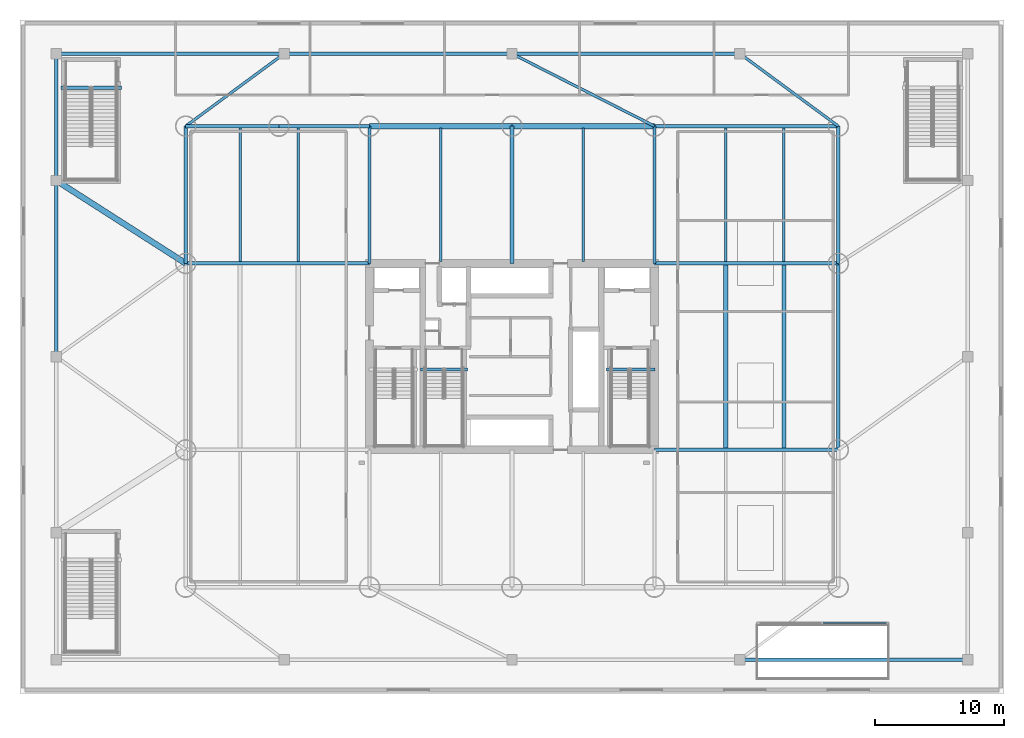
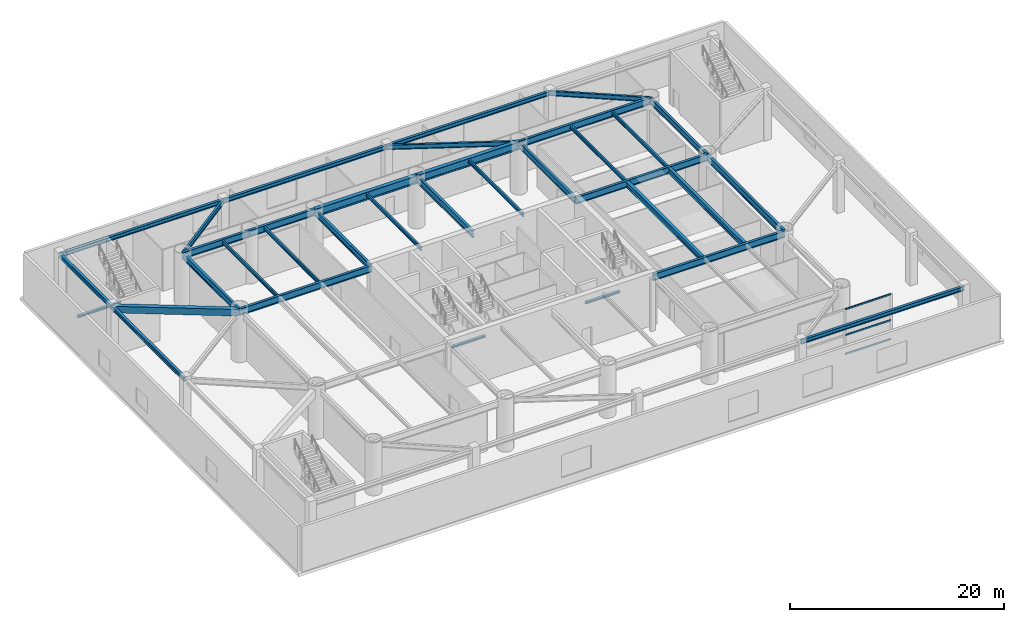
# One storey, part 3 of 17: 35 beams, 3 members, 1 element without a shape of its own.
"""IFC4 building model written with IfcOpenShell, lengths in metres."""

from ifc_helpers import new_model, si_unit, direction, frame, origin, origin_2d, place, context, subcontext, project, spatial, rectangle, hollow_rectangle, i_section, extrude, material, layer, layer_set, material_profile, profile_set, type_object, element, aggregate, save


model = new_model("IFC4")

# Units and contexts
model_context = context("Model", 3, precision=1e-05, world=origin(), true_north=direction((0.0, 1.0)))
body_context = subcontext(model_context, "Body", "Model", "MODEL_VIEW")
ifc_project = project(units=[si_unit("LENGTHUNIT", "METRE"), si_unit("AREAUNIT", "SQUARE_METRE"), si_unit("VOLUMEUNIT", "CUBIC_METRE"), si_unit("PLANEANGLEUNIT", "RADIAN"), si_unit("MASSUNIT", "GRAM", prefix="KILO")], contexts=[model_context])

# Site, building, storey
site_placement = place(None, origin())
site = spatial("IfcSite", under=ifc_project, at=site_placement, CompositionType="ELEMENT")
building_placement = place(site_placement, origin())
building = spatial("IfcBuilding", under=site, at=building_placement, Name="Bramvorn Convention Spire", CompositionType="ELEMENT")
storey_placement = place(building_placement, frame((0.0, 0.0, 24.0)))
storey = spatial("IfcBuildingStorey", under=building, at=storey_placement, Name="L04", CompositionType="ELEMENT", Elevation=24.0)

# Beams
ifc_material_1 = material(Name="Concrete C50/60", Category="concrete")
ifc_material_profile_1 = material_profile(ifc_material_1, rectangle(XDim=0.449951171875, YDim=0.75, at=origin_2d()))
ifc_profile_set_1 = profile_set([ifc_material_profile_1], Name="Concrete C50/60 - RC450X750")
beam_type_1 = type_object("IfcBeamType", Name="BM-RC450X750", PredefinedType="BEAM", material=ifc_profile_set_1)
beam_1_placement = place(storey_placement, frame((2.800048828125, 39.60009765625, 5.27490234375), z_axis=(0.842265798855, -0.539062449145, 0.0), x_axis=(0.539062449145, 0.842265798855, 0.0)))
element("IfcBeam", 1, at=beam_1_placement, inside=storey, type_object=beam_type_1, Name="L04 reinforced concrete marshalling tie beam 2", PredefinedType="BEAM", context=body_context, shape_type="SweptSolid", body=[
    extrude(rectangle(XDim=0.449951171875, YDim=0.75, at=origin_2d()), origin(), (0.0, 0.0, 1.0), 11.872802734375),
])
ifc_material_2 = material(Name="Steel CSA G40.21 Grade 350 (350W)", Category="steel")
ifc_material_profile_2 = material_profile(ifc_material_2, i_section(OverallWidth=0.25390625, OverallDepth=0.2529296875, WebThickness=0.008544921875, FlangeThickness=0.01416015625, FilletRadius=0.011962890625, at=origin_2d()))
ifc_profile_set_2 = profile_set([ifc_material_profile_2], Name="Steel CSA G40.21 Grade 350 (350W) - W250X73")
beam_type_2 = type_object("IfcBeamType", Name="BM-W250X73", PredefinedType="BEAM", material=ifc_profile_set_2)
beam_2_placement = place(storey_placement, frame((45.31005859375, 25.010009765625, -0.12646484375), z_axis=(1.0, 0.0, 0.0), x_axis=(0.0, 1.0, 0.0)))
element("IfcBeam", 2, at=beam_2_placement, inside=storey, type_object=beam_type_2, Name="L04 ST2 stair arrival header beam", PredefinedType="BEAM", context=body_context, shape_type="SweptSolid", body=[
    extrude(i_section(OverallWidth=0.25390625, OverallDepth=0.2529296875, WebThickness=0.008544921875, FlangeThickness=0.01416015625, FilletRadius=0.011962890625, at=origin_2d()), origin(), (0.0, 0.0, 1.0), 3.739990234375),
])
beam_3_placement = place(storey_placement, frame((30.949951171875, 25.010009765625, -0.12646484375), z_axis=(1.0, 0.0, 0.0), x_axis=(0.0, 1.0, 0.0)))
element("IfcBeam", 3, at=beam_3_placement, inside=storey, type_object=beam_type_2, Name="L04 ST3 stair arrival header beam", PredefinedType="BEAM", context=body_context, shape_type="SweptSolid", body=[
    extrude(i_section(OverallWidth=0.25390625, OverallDepth=0.2529296875, WebThickness=0.008544921875, FlangeThickness=0.01416015625, FilletRadius=0.011962890625, at=origin_2d()), origin(), (0.0, 0.0, 1.0), 3.610107421875),
])
beam_4_placement = place(storey_placement, frame((3.14990234375, 46.760009765625, -0.12646484375), z_axis=(1.0, 0.0, 0.0), x_axis=(0.0, 1.0, 0.0)))
element("IfcBeam", 4, at=beam_4_placement, inside=storey, type_object=beam_type_2, Name="L04 ST6 stair arrival header beam", PredefinedType="BEAM", context=body_context, shape_type="SweptSolid", body=[
    extrude(i_section(OverallWidth=0.25390625, OverallDepth=0.2529296875, WebThickness=0.008544921875, FlangeThickness=0.01416015625, FilletRadius=0.011962890625, at=origin_2d()), origin(), (0.0, 0.0, 1.0), 4.68017578125),
])
ifc_material_profile_3 = material_profile(ifc_material_2, i_section(OverallWidth=0.180908203125, OverallDepth=0.4169921875, WebThickness=0.010986328125, FlangeThickness=0.018310546875, FilletRadius=0.01611328125, at=origin_2d()))
ifc_profile_set_3 = profile_set([ifc_material_profile_3], Name="Steel CSA G40.21 Grade 350 (350W) - W410X85")
beam_type_3 = type_object("IfcBeamType", Name="BM-W410X85", PredefinedType="JOIST", material=ifc_profile_set_3)
for number, where, z_axis, x_axis, name in (
    (5, (17.0, 33.340087890625, 5.44140625), (0.0, 1.0, 0.0), (-1.0, 0.0, 0.0), "L04 side hall joist N-1"),
    (6, (21.5, 33.340087890625, 5.44140625), (0.0, 1.0, 0.0), (-1.0, 0.0, 0.0), "L04 side hall joist N-2"),
    (7, (32.5, 33.340087890625, 5.44140625), (0.0, 1.0, 0.0), (-1.0, 0.0, 0.0), "L04 north hall composite joist 3"),
    (8, (43.5, 33.340087890625, 5.44140625), (0.0, 1.0, 0.0), (-1.0, 0.0, 0.0), "L04 north hall composite joist 4"),
    (9, (54.5, 33.340087890625, 5.44140625), (0.0, 1.0, 0.0), (-1.0, 0.0, 0.0), "L04 side hall joist N-5"),
    (10, (59.0, 33.340087890625, 5.44140625), (0.0, 1.0, 0.0), (-1.0, 0.0, 0.0), "L04 side hall joist N-6"),
):
    element("IfcBeam", number, at=place(storey_placement, frame(where, z_axis=z_axis, x_axis=x_axis)), inside=storey, type_object=beam_type_3, Name=name, PredefinedType="JOIST", context=body_context, shape_type="SweptSolid", body=[
        extrude(i_section(OverallWidth=0.180908203125, OverallDepth=0.4169921875, WebThickness=0.010986328125, FlangeThickness=0.018310546875, FilletRadius=0.01611328125, at=origin_2d()), origin(), (0.0, 0.0, 1.0), 10.31982421875),
    ])
ifc_material_profile_4 = material_profile(ifc_material_2, i_section(OverallWidth=0.283935546875, OverallDepth=0.47607421875, WebThickness=0.014892578125, FlangeThickness=0.02392578125, FilletRadius=0.01806640625, at=origin_2d()))
ifc_profile_set_4 = profile_set([ifc_material_profile_4], Name="Steel CSA G40.21 Grade 350 (350W) - W460X158")
beam_type_4 = type_object("IfcBeamType", Name="BM-W460X158", PredefinedType="SPANDREL", material=ifc_profile_set_4)
beam_5_placement = place(storey_placement, frame((55.60009765625, 2.60009765625, 5.412109375), z_axis=(1.0, 0.0, 0.0), x_axis=(0.0, 1.0, 0.0)))
element("IfcBeam", 11, at=beam_5_placement, inside=storey, type_object=beam_type_4, Name="L04 podium spandrel beam 04", PredefinedType="SPANDREL", context=body_context, shape_type="SweptSolid", body=[
    extrude(i_section(OverallWidth=0.283935546875, OverallDepth=0.47607421875, WebThickness=0.014892578125, FlangeThickness=0.02392578125, FilletRadius=0.01806640625, at=origin_2d()), origin(), (0.0, 0.0, 1.0), 17.599853515625),
])
for number, where, z_axis, x_axis, name in (
    (12, (55.60009765625, 49.39990234375, 5.412109375), (-1.0, 0.0, 0.0), (0.0, -1.0, 0.0), "L04 podium spandrel beam 10"),
    (13, (38.0, 49.39990234375, 5.412109375), (-1.0, 0.0, 0.0), (0.0, -1.0, 0.0), "L04 podium spandrel beam 11"),
):
    element("IfcBeam", number, at=place(storey_placement, frame(where, z_axis=z_axis, x_axis=x_axis)), inside=storey, type_object=beam_type_4, Name=name, PredefinedType="SPANDREL", context=body_context, shape_type="SweptSolid", body=[
        extrude(i_section(OverallWidth=0.283935546875, OverallDepth=0.47607421875, WebThickness=0.014892578125, FlangeThickness=0.02392578125, FilletRadius=0.01806640625, at=origin_2d()), origin(), (0.0, 0.0, 1.0), 17.60009765625),
    ])
beam_6_placement = place(storey_placement, frame((20.39990234375, 49.39990234375, 5.412109375), z_axis=(-1.0, 0.0, 0.0), x_axis=(0.0, -1.0, 0.0)))
element("IfcBeam", 14, at=beam_6_placement, inside=storey, type_object=beam_type_4, Name="L04 podium spandrel beam 12", PredefinedType="SPANDREL", context=body_context, shape_type="SweptSolid", body=[
    extrude(i_section(OverallWidth=0.283935546875, OverallDepth=0.47607421875, WebThickness=0.014892578125, FlangeThickness=0.02392578125, FilletRadius=0.01806640625, at=origin_2d()), origin(), (0.0, 0.0, 1.0), 17.599853515625),
])
beam_7_placement = place(storey_placement, frame((2.800048828125, 49.39990234375, 5.412109375), z_axis=(0.0, -1.0, 0.0), x_axis=(1.0, 0.0, 0.0)))
element("IfcBeam", 15, at=beam_7_placement, inside=storey, type_object=beam_type_4, Name="L04 podium spandrel beam 13", PredefinedType="SPANDREL", context=body_context, shape_type="SweptSolid", body=[
    extrude(i_section(OverallWidth=0.283935546875, OverallDepth=0.47607421875, WebThickness=0.014892578125, FlangeThickness=0.02392578125, FilletRadius=0.01806640625, at=origin_2d()), origin(), (0.0, 0.0, 1.0), 9.7998046875),
])
beam_8_placement = place(storey_placement, frame((2.800048828125, 39.60009765625, 5.412109375), z_axis=(0.0, -1.0, 0.0), x_axis=(1.0, 0.0, 0.0)))
element("IfcBeam", 16, at=beam_8_placement, inside=storey, type_object=beam_type_4, Name="L04 podium spandrel beam 14", PredefinedType="SPANDREL", context=body_context, shape_type="SweptSolid", body=[
    extrude(i_section(OverallWidth=0.283935546875, OverallDepth=0.47607421875, WebThickness=0.014892578125, FlangeThickness=0.02392578125, FilletRadius=0.01806640625, at=origin_2d()), origin(), (0.0, 0.0, 1.0), 13.60009765625),
])
ifc_material_profile_5 = material_profile(ifc_material_2, i_section(OverallWidth=0.2119140625, OverallDepth=0.5439453125, WebThickness=0.01318359375, FlangeThickness=0.021240234375, FilletRadius=0.01904296875, at=origin_2d()))
ifc_profile_set_5 = profile_set([ifc_material_profile_5], Name="Steel CSA G40.21 Grade 350 (350W) - W530X123")
beam_type_5 = type_object("IfcBeamType", Name="BM-W530X123", PredefinedType="BEAM", material=ifc_profile_set_5)
beam_9_placement = place(storey_placement, frame((20.39990234375, 49.39990234375, 5.3779296875), z_axis=(-0.805057787445, -0.593196391488, 0.0), x_axis=(0.593196391488, -0.805057787445, 0.0)))
element("IfcBeam", 17, at=beam_9_placement, inside=storey, type_object=beam_type_5, Name="L04 podium primary girder 31", PredefinedType="BEAM", context=body_context, shape_type="SweptSolid", body=[
    extrude(i_section(OverallWidth=0.2119140625, OverallDepth=0.5439453125, WebThickness=0.01318359375, FlangeThickness=0.021240234375, FilletRadius=0.01904296875, at=origin_2d()), origin(), (0.0, 0.0, 1.0), 9.440185546875),
])
beam_10_placement = place(storey_placement, frame((38.0, 49.39990234375, 5.3779296875), z_axis=(0.891167913636, -0.453673615835, 0.0), x_axis=(0.453673615835, 0.891167913636, 0.0)))
element("IfcBeam", 18, at=beam_10_placement, inside=storey, type_object=beam_type_5, Name="L04 podium primary girder 32", PredefinedType="BEAM", context=body_context, shape_type="SweptSolid", body=[
    extrude(i_section(OverallWidth=0.2119140625, OverallDepth=0.5439453125, WebThickness=0.01318359375, FlangeThickness=0.021240234375, FilletRadius=0.01904296875, at=origin_2d()), origin(), (0.0, 0.0, 1.0), 12.34326171875),
])
beam_11_placement = place(storey_placement, frame((55.60009765625, 49.39990234375, 5.3779296875), z_axis=(0.805057787445, -0.593196391488, 0.0), x_axis=(0.593196391488, 0.805057787445, 0.0)))
element("IfcBeam", 19, at=beam_11_placement, inside=storey, type_object=beam_type_5, Name="L04 podium primary girder 33", PredefinedType="BEAM", context=body_context, shape_type="SweptSolid", body=[
    extrude(i_section(OverallWidth=0.2119140625, OverallDepth=0.5439453125, WebThickness=0.01318359375, FlangeThickness=0.021240234375, FilletRadius=0.01904296875, at=origin_2d()), origin(), (0.0, 0.0, 1.0), 9.440185546875),
])
ifc_material_profile_6 = material_profile(ifc_material_2, i_section(OverallWidth=0.327880859375, OverallDepth=0.6279296875, WebThickness=0.0166015625, FlangeThickness=0.027587890625, FilletRadius=0.02001953125, at=origin_2d()))
ifc_profile_set_6 = profile_set([ifc_material_profile_6], Name="Steel CSA G40.21 Grade 350 (350W) - W610X217")
beam_type_6 = type_object("IfcBeamType", Name="BM-W610X217", PredefinedType="BEAM", material=ifc_profile_set_6)
for number, where, z_axis, x_axis, name in (
    (20, (54.5, 18.93994140625, 5.3359375), (0.0, 1.0, 0.0), (-1.0, 0.0, 0.0), "L04 main exhibition clear-span joist M-5"),
    (21, (59.0, 18.93994140625, 5.3359375), (0.0, 1.0, 0.0), (-1.0, 0.0, 0.0), "L04 main exhibition clear-span joist M-6"),
):
    element("IfcBeam", number, at=place(storey_placement, frame(where, z_axis=z_axis, x_axis=x_axis)), inside=storey, type_object=beam_type_6, Name=name, PredefinedType="BEAM", context=body_context, shape_type="SweptSolid", body=[
        extrude(i_section(OverallWidth=0.327880859375, OverallDepth=0.6279296875, WebThickness=0.0166015625, FlangeThickness=0.027587890625, FilletRadius=0.02001953125, at=origin_2d()), origin(), (0.0, 0.0, 1.0), 14.1201171875),
    ])
ifc_material_profile_7 = material_profile(ifc_material_2, i_section(OverallWidth=0.256103515625, OverallDepth=0.693115234375, WebThickness=0.014404296875, FlangeThickness=0.023681640625, FilletRadius=0.02197265625, at=origin_2d()))
ifc_profile_set_7 = profile_set([ifc_material_profile_7], Name="Steel CSA G40.21 Grade 350 (350W) - W690X170")
beam_type_7 = type_object("IfcBeamType", Name="BM-W690X170", PredefinedType="BEAM", material=ifc_profile_set_7)
for number, where, z_axis, x_axis, name in (
    (22, (12.800048828125, 33.199951171875, 5.303466796875), (0.0, 1.0, 0.0), (-1.0, 0.0, 0.0), "L04 podium primary girder 14"),
    (23, (63.199951171875, 33.199951171875, 5.303466796875), (0.0, 1.0, 0.0), (-1.0, 0.0, 0.0), "L04 podium primary girder 17"),
    (24, (27.0, 33.199951171875, 5.303466796875), (0.0, 1.0, 0.0), (-1.0, 0.0, 0.0), "L04 podium primary girder 24"),
    (25, (49.0, 33.199951171875, 5.303466796875), (0.0, 1.0, 0.0), (-1.0, 0.0, 0.0), "L04 podium primary girder 25"),
):
    element("IfcBeam", number, at=place(storey_placement, frame(where, z_axis=z_axis, x_axis=x_axis)), inside=storey, type_object=beam_type_7, Name=name, PredefinedType="BEAM", context=body_context, shape_type="SweptSolid", body=[
        extrude(i_section(OverallWidth=0.256103515625, OverallDepth=0.693115234375, WebThickness=0.014404296875, FlangeThickness=0.023681640625, FilletRadius=0.02197265625, at=origin_2d()), origin(), (0.0, 0.0, 1.0), 10.60009765625),
    ])
ifc_material_profile_8 = material_profile(ifc_material_2, i_section(OverallWidth=0.27099609375, OverallDepth=0.76806640625, WebThickness=0.0166015625, FlangeThickness=0.02685546875, FilletRadius=0.02197265625, at=origin_2d()))
ifc_profile_set_8 = profile_set([ifc_material_profile_8], Name="Steel CSA G40.21 Grade 350 (350W) - W760X220")
beam_type_8 = type_object("IfcBeamType", Name="BM-W760X220", PredefinedType="BEAM", material=ifc_profile_set_8)
beam_12_placement = place(storey_placement, frame((12.800048828125, 43.800048828125, 5.26611328125), z_axis=(1.0, 0.0, 0.0), x_axis=(0.0, 1.0, 0.0)))
element("IfcBeam", 26, at=beam_12_placement, inside=storey, type_object=beam_type_8, Name="L04 podium primary girder 05", PredefinedType="BEAM", context=body_context, shape_type="SweptSolid", body=[
    extrude(i_section(OverallWidth=0.27099609375, OverallDepth=0.76806640625, WebThickness=0.0166015625, FlangeThickness=0.02685546875, FilletRadius=0.02197265625, at=origin_2d()), origin(), (0.0, 0.0, 1.0), 7.199951171875),
])
beam_13_placement = place(storey_placement, frame((20.0, 43.800048828125, 5.26611328125), z_axis=(1.0, 0.0, 0.0), x_axis=(0.0, 1.0, 0.0)))
element("IfcBeam", 27, at=beam_13_placement, inside=storey, type_object=beam_type_8, Name="L04 podium primary girder 06", PredefinedType="BEAM", context=body_context, shape_type="SweptSolid", body=[
    extrude(i_section(OverallWidth=0.27099609375, OverallDepth=0.76806640625, WebThickness=0.0166015625, FlangeThickness=0.02685546875, FilletRadius=0.02197265625, at=origin_2d()), origin(), (0.0, 0.0, 1.0), 7.0),
])
beam_14_placement = place(storey_placement, frame((38.0, 33.199951171875, 5.26611328125), z_axis=(0.0, 1.0, 0.0), x_axis=(-1.0, 0.0, 0.0)))
element("IfcBeam", 28, at=beam_14_placement, inside=storey, type_object=beam_type_8, Name="L04 podium primary girder 10", PredefinedType="BEAM", context=body_context, shape_type="SweptSolid", body=[
    extrude(i_section(OverallWidth=0.27099609375, OverallDepth=0.76806640625, WebThickness=0.0166015625, FlangeThickness=0.02685546875, FilletRadius=0.02197265625, at=origin_2d()), origin(), (0.0, 0.0, 1.0), 10.60009765625),
])
beam_15_placement = place(storey_placement, frame((49.0, 43.800048828125, 5.26611328125), z_axis=(1.0, 0.0, 0.0), x_axis=(0.0, 1.0, 0.0)))
element("IfcBeam", 29, at=beam_15_placement, inside=storey, type_object=beam_type_8, Name="L04 podium primary girder 11", PredefinedType="BEAM", context=body_context, shape_type="SweptSolid", body=[
    extrude(i_section(OverallWidth=0.27099609375, OverallDepth=0.76806640625, WebThickness=0.0166015625, FlangeThickness=0.02685546875, FilletRadius=0.02197265625, at=origin_2d()), origin(), (0.0, 0.0, 1.0), 14.199951171875),
])
beam_16_placement = place(storey_placement, frame((63.199951171875, 18.800048828125, 5.26611328125), z_axis=(0.0, 1.0, 0.0), x_axis=(-1.0, 0.0, 0.0)))
element("IfcBeam", 30, at=beam_16_placement, inside=storey, type_object=beam_type_8, Name="L04 podium primary girder 16", PredefinedType="BEAM", context=body_context, shape_type="SweptSolid", body=[
    extrude(i_section(OverallWidth=0.27099609375, OverallDepth=0.76806640625, WebThickness=0.0166015625, FlangeThickness=0.02685546875, FilletRadius=0.02197265625, at=origin_2d()), origin(), (0.0, 0.0, 1.0), 14.39990234375),
])
for number, where, z_axis, x_axis, name in (
    (31, (49.0, 18.800048828125, 5.26611328125), (1.0, 0.0, 0.0), (0.0, 1.0, 0.0), "L04 podium primary girder 19"),
    (32, (12.800048828125, 33.199951171875, 5.26611328125), (1.0, 0.0, 0.0), (0.0, 1.0, 0.0), "L04 podium primary girder 20"),
    (33, (49.0, 33.199951171875, 5.26611328125), (1.0, 0.0, 0.0), (0.0, 1.0, 0.0), "L04 podium primary girder 21"),
):
    element("IfcBeam", number, at=place(storey_placement, frame(where, z_axis=z_axis, x_axis=x_axis)), inside=storey, type_object=beam_type_8, Name=name, PredefinedType="BEAM", context=body_context, shape_type="SweptSolid", body=[
        extrude(i_section(OverallWidth=0.27099609375, OverallDepth=0.76806640625, WebThickness=0.0166015625, FlangeThickness=0.02685546875, FilletRadius=0.02197265625, at=origin_2d()), origin(), (0.0, 0.0, 1.0), 14.199951171875),
    ])
ifc_material_profile_9 = material_profile(ifc_material_2, i_section(OverallWidth=0.41796875, OverallDepth=0.912109375, WebThickness=0.019287109375, FlangeThickness=0.031982421875, FilletRadius=0.02392578125, at=origin_2d()))
ifc_profile_set_9 = profile_set([ifc_material_profile_9], Name="Steel CSA G40.21 Grade 350 (350W) - W920X342")
beam_type_9 = type_object("IfcBeamType", Name="BM-W920X342", PredefinedType="BEAM", material=ifc_profile_set_9)
for number, where, z_axis, x_axis, name in (
    (34, (27.0, 43.800048828125, 5.194091796875), (1.0, 0.0, 0.0), (0.0, 1.0, 0.0), "L04 podium primary girder 07"),
    (35, (38.0, 43.800048828125, 5.194091796875), (1.0, 0.0, 0.0), (0.0, 1.0, 0.0), "L04 podium primary girder 08"),
):
    element("IfcBeam", number, at=place(storey_placement, frame(where, z_axis=z_axis, x_axis=x_axis)), inside=storey, type_object=beam_type_9, Name=name, PredefinedType="BEAM", context=body_context, shape_type="SweptSolid", body=[
        extrude(i_section(OverallWidth=0.41796875, OverallDepth=0.912109375, WebThickness=0.019287109375, FlangeThickness=0.031982421875, FilletRadius=0.02392578125, at=origin_2d()), origin(), (0.0, 0.0, 1.0), 11.0),
    ])

# Curtain wall, members
ifc_material_3 = material(Name="Anodised Bronze Unitised Curtain Wall", Category="aluminium")
ifc_layer = layer(ifc_material_3, 0.219970703125)
ifc_layer_set = layer_set([ifc_layer], Name="Anodised Bronze Unitised Curtain Wall - CW-POD-LANCET")
curtain_wall_type = type_object("IfcCurtainWallType", Name="CW-POD-LANCET", PredefinedType="USERDEFINED", material=ifc_layer_set)
curtain_wall_placement = place(storey_placement, origin())
curtain_wall = element("IfcCurtainWall", 36, at=curtain_wall_placement, inside=storey, type_object=curtain_wall_type, Name="L04 SE colonnade lancet curtain wall", ObjectType="UNITISED CURTAIN WALL", PredefinedType="USERDEFINED")
ifc_material_4 = material(Name="Anodised Bronze Aluminium 6063-T6", Category="aluminium")
ifc_material_profile_10 = material_profile(ifc_material_4, hollow_rectangle(XDim=0.090087890625, YDim=0.179931640625, WallThickness=0.00439453125, InnerFilletRadius=0.0009765625, OuterFilletRadius=0.00439453125, at=origin_2d()))
ifc_profile_set_10 = profile_set([ifc_material_profile_10], Name="Anodised Bronze Aluminium 6063-T6 - CWT90X180")
member_type = type_object("IfcMemberType", Name="CW-TRN-180", PredefinedType="USERDEFINED", material=ifc_profile_set_10)
member_1_placement = place(storey_placement, frame((62.030029296875, 5.449951171875, 0.030029296875), z_axis=(1.0, 0.0, 0.0), x_axis=(0.0, 1.0, 0.0)))
member_1 = element("IfcMember", 37, at=member_1_placement, type_object=member_type, Name="CW1 transom 2.1", ObjectType="TRANSOM", PredefinedType="USERDEFINED", context=body_context, shape_type="SweptSolid", body=[
    extrude(hollow_rectangle(XDim=0.090087890625, YDim=0.179931640625, WallThickness=0.00439453125, InnerFilletRadius=0.0009765625, OuterFilletRadius=0.00439453125, at=origin_2d()), origin(), (0.0, 0.0, 1.0), 4.909912109375),
])
member_2_placement = place(storey_placement, frame((62.030029296875, 5.449951171875, 2.199951171875), z_axis=(1.0, 0.0, 0.0), x_axis=(0.0, 1.0, 0.0)))
member_2 = element("IfcMember", 38, at=member_2_placement, type_object=member_type, Name="CW1 transom 2.2", ObjectType="TRANSOM", PredefinedType="USERDEFINED", context=body_context, shape_type="SweptSolid", body=[
    extrude(hollow_rectangle(XDim=0.090087890625, YDim=0.179931640625, WallThickness=0.00439453125, InnerFilletRadius=0.0009765625, OuterFilletRadius=0.00439453125, at=origin_2d()), origin(), (0.0, 0.0, 1.0), 4.909912109375),
])
member_3_placement = place(storey_placement, frame((62.030029296875, 5.449951171875, 5.1298828125), z_axis=(1.0, 0.0, 0.0), x_axis=(0.0, 1.0, 0.0)))
member_3 = element("IfcMember", 39, at=member_3_placement, type_object=member_type, Name="CW1 transom 2.3", ObjectType="TRANSOM", PredefinedType="USERDEFINED", context=body_context, shape_type="SweptSolid", body=[
    extrude(hollow_rectangle(XDim=0.090087890625, YDim=0.179931640625, WallThickness=0.00439453125, InnerFilletRadius=0.0009765625, OuterFilletRadius=0.00439453125, at=origin_2d()), origin(), (0.0, 0.0, 1.0), 4.909912109375),
])
aggregate(curtain_wall, [member_1, member_2, member_3])

save(model, "model.ifc")
